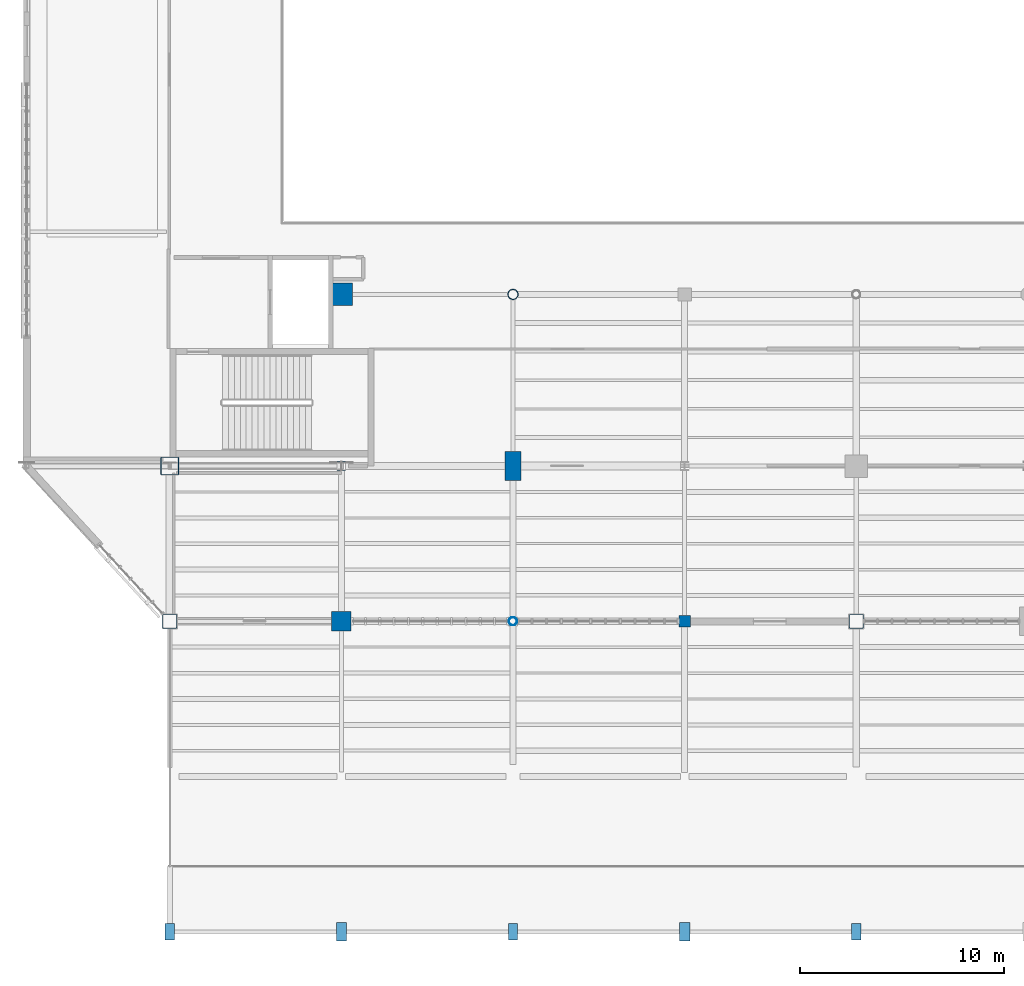
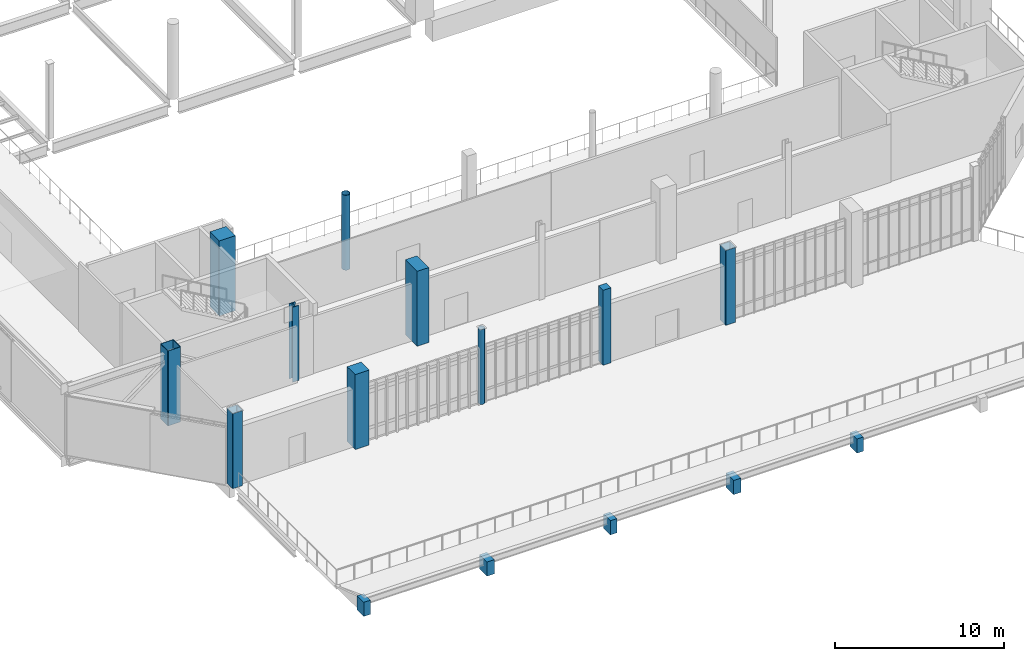
# One storey, part 1 of 127: 15 columns.
"""IFC4 building model written with IfcOpenShell, lengths in metres."""

import ifcopenshell
import ifcopenshell.guid

model = None  # the IFC model being written
_history = None  # IfcOwnerHistory: only IFC2X3 demands one
_inside = {}  # id of a spatial element -> (the spatial element, [elements in it])
_under = {}  # id of a project, library or spatial element -> (it, [spatial elements below it])
_declared = {}  # id of a project -> (the project, [libraries it declares])
_typed = {}  # id of a type object -> (the type object, [elements of that type])
_made_of = {}  # id of a material, layer set ... -> (it, [elements and type objects made of it])


def new_model(schema):
    """Start an empty IFC model of exactly this schema.

    Asked for "IFC4X3", IfcOpenShell would pick the latest addendum, in which some entities
    have other attributes; the version numbers below select the first issue.
    IFC2X3 requires an IfcOwnerHistory on every rooted entity: one is made here for all.
    """
    global model, _history
    if schema == "IFC4X3":
        model = ifcopenshell.file(schema_version=(4, 3, 0, 0))
    else:
        model = ifcopenshell.file(schema=schema)
    _inside.clear()
    _under.clear()
    _declared.clear()
    _typed.clear()
    _made_of.clear()
    _history = None
    if model.schema == "IFC2X3":
        org = make("IfcOrganization", Name="unknown")
        user = make(
            "IfcPersonAndOrganization",
            ThePerson=make("IfcPerson", FamilyName="unknown"),
            TheOrganization=org,
        )
        app = make(
            "IfcApplication",
            ApplicationDeveloper=org,
            Version="unknown",
            ApplicationFullName="unknown",
            ApplicationIdentifier="unknown",
        )
        _history = make(
            "IfcOwnerHistory",
            OwningUser=user,
            OwningApplication=app,
            ChangeAction="ADDED",
            CreationDate=0,
        )
    return model


def make(cls, **values):
    """One entity of the class cls with the attributes given. An attribute that is None is left unset."""
    return model.create_entity(
        cls, **{name: value for name, value in values.items() if value is not None}
    )


def rooted(cls, **values):
    """An entity with a GlobalId (a new one), such as an element, a storey or a relation."""
    return make(cls, GlobalId=ifcopenshell.guid.new(), OwnerHistory=_history, **values)


def si_unit(unit_type, name, prefix=None):
    """IfcSIUnit, for example si_unit("LENGTHUNIT", "METRE", prefix="MILLI")."""
    return make("IfcSIUnit", UnitType=unit_type, Prefix=prefix, Name=name)


def assignment(units):
    """IfcUnitAssignment: the units of a project."""
    return None if units is None else make("IfcUnitAssignment", Units=units)


def point(xyz):
    """IfcCartesianPoint."""
    return None if xyz is None else make("IfcCartesianPoint", Coordinates=xyz)


def direction(xyz):
    """IfcDirection."""
    return None if xyz is None else make("IfcDirection", DirectionRatios=xyz)


def frame(location, z_axis=None, x_axis=None):
    """IfcAxis2Placement3D, a coordinate frame: its origin and axes. An axis left out is left unset."""
    return make(
        "IfcAxis2Placement3D",
        Location=point(location),
        Axis=direction(z_axis),
        RefDirection=direction(x_axis),
    )


def frame_2d(location, x_axis=None):
    """IfcAxis2Placement2D, a coordinate frame in the plane: its origin and x axis."""
    return make(
        "IfcAxis2Placement2D", Location=point(location), RefDirection=direction(x_axis)
    )


def origin():
    """The frame at (0, 0, 0) with its axes left unset."""
    return frame((0.0, 0.0, 0.0))


def origin_2d():
    """The frame at (0, 0) in the plane with its x axis left unset."""
    return frame_2d((0.0, 0.0))


def place(relative_to, where):
    """IfcLocalPlacement: puts the frame where relative to a parent placement (None: the world)."""
    return make(
        "IfcLocalPlacement", PlacementRelTo=relative_to, RelativePlacement=where
    )


def context(
    kind, dimensions, precision=None, world=None, true_north=None, identifier=None
):
    """IfcGeometricRepresentationContext, for example the 3D "Model" context."""
    return make(
        "IfcGeometricRepresentationContext",
        ContextIdentifier=identifier,
        ContextType=kind,
        CoordinateSpaceDimension=dimensions,
        Precision=precision,
        WorldCoordinateSystem=world,
        TrueNorth=true_north,
    )


def subcontext(parent, identifier, kind, view, scale=None):
    """IfcGeometricRepresentationSubContext, for example "Body" below "Model"."""
    return make(
        "IfcGeometricRepresentationSubContext",
        ContextIdentifier=identifier,
        ContextType=kind,
        ParentContext=parent,
        TargetScale=scale,
        TargetView=view,
    )


def project(units=None, contexts=None):
    """IfcProject with its units and contexts."""
    return rooted(
        "IfcProject",
        Name="project",
        RepresentationContexts=contexts,
        UnitsInContext=assignment(units),
    )


def spatial(cls, under=None, at=None, **own):
    """A site, building, storey or space (cls), placed at a placement, below another one or the project."""
    s = rooted(cls, ObjectPlacement=at, **own)
    if under is not None:
        _under.setdefault(under.id(), (under, []))[1].append(s)
    return s


def profile(cls, at=None, kind="AREA", **sizes):
    """A parametric profile (cls). Its sizes go by their IFC names, for example OverallWidth=200.0."""
    return make(cls, ProfileType=kind, Position=at, **sizes)


def rectangle(**sizes):
    """IfcRectangleProfileDef."""
    return profile("IfcRectangleProfileDef", **sizes)


def hollow_rectangle(**sizes):
    """IfcRectangleHollowProfileDef."""
    return profile("IfcRectangleHollowProfileDef", **sizes)


def hollow_circle(**sizes):
    """IfcCircleHollowProfileDef."""
    return profile("IfcCircleHollowProfileDef", **sizes)


def i_section(**sizes):
    """IfcIShapeProfileDef."""
    return profile("IfcIShapeProfileDef", **sizes)


def extrude(swept, where, along, depth):
    """IfcExtrudedAreaSolid: the profile swept, set in the frame where, extruded along a direction by depth."""
    return make(
        "IfcExtrudedAreaSolid",
        SweptArea=swept,
        Position=where,
        ExtrudedDirection=direction(along),
        Depth=depth,
    )


def shape(context_of_items, identifier, shape_type, items):
    """IfcShapeRepresentation: the items that make up one representation, for example the "Body"."""
    return make(
        "IfcShapeRepresentation",
        ContextOfItems=context_of_items,
        RepresentationIdentifier=identifier,
        RepresentationType=shape_type,
        Items=items,
    )


def material(Name=None, Category=None):
    """IfcMaterial."""
    return make("IfcMaterial", Name=Name, Category=Category)


def material_profile(
    of_material, cross_section, Name=None, Category=None, Priority=None
):
    """IfcMaterialProfile: a cross section and its material."""
    return make(
        "IfcMaterialProfile",
        Name=Name,
        Material=of_material,
        Profile=cross_section,
        Priority=Priority,
        Category=Category,
    )


def profile_set(profiles, Name=None, composite=None):
    """IfcMaterialProfileSet."""
    return make(
        "IfcMaterialProfileSet",
        Name=Name,
        MaterialProfiles=profiles,
        CompositeProfile=composite,
    )


def made_of(thing, what):
    """Note that an element or type object is made of a material, layer set ...; save() writes the relation."""
    if what is not None:
        _made_of.setdefault(what.id(), (what, []))[1].append(thing)
    return thing


def type_object(cls, material=None, **own):
    """A type object (cls), such as IfcWallType, which elements share."""
    return made_of(rooted(cls, **own), material)


def element(
    cls,
    number,
    at=None,
    inside=None,
    cuts=None,
    type_object=None,
    material=None,
    context=None,
    identifier="Body",
    shape_type=None,
    held_by="IfcProductDefinitionShape",
    body=None,
    shapes=None,
    **own,
):
    """One element of the class cls, such as IfcWall. Its Tag is "e" and its number.

    at: its placement. inside: the storey or other place that contains it. cuts: it is an
    opening in that element (IfcRelVoidsElement). A single representation is given by context,
    identifier, shape_type and body (its items); several are given by shapes. held_by: the class
    of the entity that holds the representations. save() writes the other relations.
    """
    e = rooted(cls, Tag="e%d" % number, ObjectPlacement=at, **own)
    if body is not None:
        shapes = [shape(context, identifier, shape_type, body)]
    if shapes is not None:
        e.Representation = make(held_by, Representations=shapes)
    if inside is not None:
        _inside.setdefault(inside.id(), (inside, []))[1].append(e)
    if cuts is not None:
        rooted(
            "IfcRelVoidsElement", RelatingBuildingElement=cuts, RelatedOpeningElement=e
        )
    if type_object is not None:
        _typed.setdefault(type_object.id(), (type_object, []))[1].append(e)
    return made_of(e, material)


def aggregate(whole, parts):
    """IfcRelAggregates: a whole, such as a stair, and the parts it consists of."""
    return rooted("IfcRelAggregates", RelatingObject=whole, RelatedObjects=parts)


def save(model, path):
    """Write the relations noted so far, then the file.

    IfcRelAggregates (storeys below a building ...), IfcRelContainedInSpatialStructure (elements
    in a storey), IfcRelDefinesByType, IfcRelAssociatesMaterial and IfcRelDeclares: one each for
    every whole, place, type object, material and project.
    """
    for whole, parts in _under.values():
        aggregate(whole, parts)
    for where, things in _inside.values():
        rooted(
            "IfcRelContainedInSpatialStructure",
            RelatedElements=things,
            RelatingStructure=where,
        )
    for kind, things in _typed.values():
        rooted("IfcRelDefinesByType", RelatedObjects=things, RelatingType=kind)
    for what, things in _made_of.values():
        rooted("IfcRelAssociatesMaterial", RelatedObjects=things, RelatingMaterial=what)
    for by, libraries in _declared.values():
        rooted("IfcRelDeclares", RelatingContext=by, RelatedDefinitions=libraries)
    model.write(path)


model = new_model("IFC4")

# Units and contexts
model_context = context("Model", 3, precision=1e-05, world=origin(), true_north=direction((0.0, 1.0)))
body_context = subcontext(model_context, "Body", "Model", "MODEL_VIEW")
ifc_project = project(units=[si_unit("LENGTHUNIT", "METRE"), si_unit("AREAUNIT", "SQUARE_METRE"), si_unit("VOLUMEUNIT", "CUBIC_METRE"), si_unit("PLANEANGLEUNIT", "RADIAN"), si_unit("MASSUNIT", "GRAM", prefix="KILO")], contexts=[model_context])

# Site, building, storey
site_placement = place(None, origin())
site = spatial("IfcSite", under=ifc_project, at=site_placement, CompositionType="ELEMENT")
building_placement = place(site_placement, origin())
building = spatial("IfcBuilding", under=site, at=building_placement, Name="Larkvane Passage Sports Hall", CompositionType="ELEMENT")
storey_placement = place(building_placement, frame((0.0, 0.0, 5.39990234375)))
storey = spatial("IfcBuildingStorey", under=building, at=storey_placement, Name="L01", CompositionType="ELEMENT", Elevation=5.39990234375)

# Columns
ifc_material_1 = material(Name="Concrete C50/60", Category="concrete")
ifc_material_profile_1 = material_profile(ifc_material_1, rectangle(XDim=1.10009765625, YDim=1.10009765625, at=origin_2d()), Name="RC-COL-1100x1100")
ifc_profile_set_1 = profile_set([ifc_material_profile_1], Name="Concrete C50/60")
column_type_1 = type_object("IfcColumnType", Name="COL-RC-1100", PredefinedType="COLUMN", material=ifc_profile_set_1)
column_1_placement = place(storey_placement, frame((43.199951171875, 31.199951171875, 0.0), z_axis=(0.0, 0.0, 1.0), x_axis=(1.0, 0.0, 0.0)))
element("IfcColumn", 1, at=column_1_placement, inside=storey, type_object=column_type_1, Name="Column 7/E L01", PredefinedType="COLUMN", context=body_context, shape_type="SweptSolid", body=[
    extrude(rectangle(XDim=1.10009765625, YDim=1.10009765625, at=origin_2d()), origin(), (0.0, 0.0, 1.0), 5.400146484375),
])
ifc_material_2 = material(Name="Concrete C40/50", Category="concrete")
ifc_material_profile_2 = material_profile(ifc_material_2, rectangle(XDim=0.550048828125, YDim=0.550048828125, at=origin_2d()), Name="RC-COL-550x550")
ifc_profile_set_2 = profile_set([ifc_material_profile_2], Name="Concrete C40/50")
column_type_2 = type_object("IfcColumnType", Name="COL-RC-550", PredefinedType="COLUMN", material=ifc_profile_set_2)
column_2_placement = place(storey_placement, frame((60.0, 15.199951171875, 0.0), z_axis=(0.0, 0.0, 1.0), x_axis=(1.0, 0.0, 0.0)))
element("IfcColumn", 2, at=column_2_placement, inside=storey, type_object=column_type_2, Name="Column 9/C L01", PredefinedType="COLUMN", context=body_context, shape_type="SweptSolid", body=[
    extrude(rectangle(XDim=0.550048828125, YDim=0.550048828125, at=origin_2d()), origin(), (0.0, 0.0, 1.0), 5.400146484375),
])
ifc_material_profile_3 = material_profile(ifc_material_1, rectangle(XDim=0.800048828125, YDim=1.39990234375, at=origin_2d()), Name="RC-COL-800x1400")
ifc_profile_set_3 = profile_set([ifc_material_profile_3], Name="Concrete C50/60")
column_type_3 = type_object("IfcColumnType", Name="COL-RC-800x1400", PredefinedType="COLUMN", material=ifc_profile_set_3)
column_3_placement = place(storey_placement, frame((51.60009765625, 22.800048828125, 0.0), z_axis=(0.0, 0.0, 1.0), x_axis=(1.0, 0.0, 0.0)))
element("IfcColumn", 3, at=column_3_placement, inside=storey, type_object=column_type_3, Name="Column 8/D L01", PredefinedType="COLUMN", context=body_context, shape_type="SweptSolid", body=[
    extrude(rectangle(XDim=0.800048828125, YDim=1.39990234375, at=origin_2d()), origin(), (0.0, 0.0, 1.0), 5.400146484375),
])
ifc_material_profile_4 = material_profile(ifc_material_1, rectangle(XDim=0.949951171875, YDim=0.949951171875, at=origin_2d()), Name="RC-COL-950x950")
ifc_profile_set_4 = profile_set([ifc_material_profile_4], Name="Concrete C50/60")
column_type_4 = type_object("IfcColumnType", Name="COL-RC-950", PredefinedType="COLUMN", material=ifc_profile_set_4)
column_4_placement = place(storey_placement, frame((43.199951171875, 15.199951171875, 0.0), z_axis=(0.0, 0.0, 1.0), x_axis=(1.0, 0.0, 0.0)))
element("IfcColumn", 4, at=column_4_placement, inside=storey, type_object=column_type_4, Name="Column 7/C L01", PredefinedType="COLUMN", context=body_context, shape_type="SweptSolid", body=[
    extrude(rectangle(XDim=0.949951171875, YDim=0.949951171875, at=origin_2d()), origin(), (0.0, 0.0, 1.0), 5.400146484375),
])
ifc_material_3 = material(Name="Steel S460N", Category="steel")
ifc_material_profile_5 = material_profile(ifc_material_3, hollow_rectangle(XDim=0.699951171875, YDim=0.699951171875, WallThickness=0.028076171875, InnerFilletRadius=0.028076171875, OuterFilletRadius=0.055908203125, at=origin_2d()), Name="BOX-700x700x28")
ifc_profile_set_5 = profile_set([ifc_material_profile_5], Name="Steel S460N")
column_type_5 = type_object("IfcColumnType", Name="COL-STL-BOX700", PredefinedType="COLUMN", material=ifc_profile_set_5)
for number, where, z_axis, x_axis, name in (
    (5, (34.800048828125, 15.199951171875, 0.0), (0.0, 0.0, 1.0), (1.0, 0.0, 0.0), "Column 6/C L01"),
    (6, (68.39990234375, 15.199951171875, 0.0), (0.0, 0.0, 1.0), (1.0, 0.0, 0.0), "Column 10/C L01"),
):
    element("IfcColumn", number, at=place(storey_placement, frame(where, z_axis=z_axis, x_axis=x_axis)), inside=storey, type_object=column_type_5, Name=name, PredefinedType="COLUMN", context=body_context, shape_type="SweptSolid", body=[
        extrude(hollow_rectangle(XDim=0.699951171875, YDim=0.699951171875, WallThickness=0.028076171875, InnerFilletRadius=0.028076171875, OuterFilletRadius=0.055908203125, at=origin_2d()), origin(), (0.0, 0.0, 1.0), 5.400146484375),
    ])
ifc_material_profile_6 = material_profile(ifc_material_3, hollow_rectangle(XDim=0.89990234375, YDim=0.89990234375, WallThickness=0.035888671875, InnerFilletRadius=0.035888671875, OuterFilletRadius=0.072021484375, at=origin_2d()), Name="BOX-900x900x36")
ifc_profile_set_6 = profile_set([ifc_material_profile_6], Name="Steel S460N")
column_type_6 = type_object("IfcColumnType", Name="COL-STL-BOX900", PredefinedType="COLUMN", material=ifc_profile_set_6)
column_5_placement = place(storey_placement, frame((34.800048828125, 22.800048828125, 0.0), z_axis=(0.0, 0.0, 1.0), x_axis=(1.0, 0.0, 0.0)))
element("IfcColumn", 7, at=column_5_placement, inside=storey, type_object=column_type_6, Name="Column 6/D L01", PredefinedType="COLUMN", context=body_context, shape_type="SweptSolid", body=[
    extrude(hollow_rectangle(XDim=0.89990234375, YDim=0.89990234375, WallThickness=0.035888671875, InnerFilletRadius=0.035888671875, OuterFilletRadius=0.072021484375, at=origin_2d()), origin(), (0.0, 0.0, 1.0), 5.400146484375),
])
ifc_material_4 = material(Name="Steel S355JR", Category="steel")
ifc_material_profile_7 = material_profile(ifc_material_4, hollow_circle(Radius=0.203125, WallThickness=0.01611328125, at=origin_2d()), Name="CHS-406.4x16.0")
ifc_profile_set_7 = profile_set([ifc_material_profile_7], Name="Steel S355JR")
column_type_7 = type_object("IfcColumnType", Name="COL-STL-CHS406", PredefinedType="COLUMN", material=ifc_profile_set_7)
column_6_placement = place(storey_placement, frame((51.60009765625, 15.199951171875, 0.0), z_axis=(0.0, 0.0, 1.0), x_axis=(1.0, 0.0, 0.0)))
element("IfcColumn", 8, at=column_6_placement, inside=storey, type_object=column_type_7, Name="Column 8/C L01", PredefinedType="COLUMN", context=body_context, shape_type="SweptSolid", body=[
    extrude(hollow_circle(Radius=0.203125, WallThickness=0.01611328125, at=origin_2d()), origin(), (0.0, 0.0, 1.0), 5.400146484375),
])
ifc_material_profile_8 = material_profile(ifc_material_3, hollow_circle(Radius=0.25390625, WallThickness=0.01904296875, at=origin_2d()), Name="CHS-508.0x19.0")
ifc_profile_set_8 = profile_set([ifc_material_profile_8], Name="Steel S460N")
column_type_8 = type_object("IfcColumnType", Name="COL-STL-CHS508", PredefinedType="COLUMN", material=ifc_profile_set_8)
column_7_placement = place(storey_placement, frame((51.60009765625, 31.199951171875, 0.0), z_axis=(0.0, 0.0, 1.0), x_axis=(1.0, 0.0, 0.0)))
element("IfcColumn", 9, at=column_7_placement, inside=storey, type_object=column_type_8, Name="Column 8/E L01", PredefinedType="COLUMN", context=body_context, shape_type="SweptSolid", body=[
    extrude(hollow_circle(Radius=0.25390625, WallThickness=0.01904296875, at=origin_2d()), origin(), (0.0, 0.0, 1.0), 5.400146484375),
])
ifc_material_profile_9 = material_profile(ifc_material_3, i_section(OverallWidth=0.4169921875, OverallDepth=0.4580078125, WebThickness=0.030029296875, FlangeThickness=0.0400390625, FilletRadius=0.02197265625, at=origin_2d()), Name="H-458x417x30x40")
ifc_profile_set_9 = profile_set([ifc_material_profile_9], Name="Steel S460N")
column_type_9 = type_object("IfcColumnType", Name="COL-STL-H458", PredefinedType="COLUMN", material=ifc_profile_set_9)
column_8_placement = place(storey_placement, frame((43.199951171875, 22.800048828125, 0.0), z_axis=(0.0, 0.0, 1.0), x_axis=(1.0, 0.0, 0.0)))
element("IfcColumn", 10, at=column_8_placement, inside=storey, type_object=column_type_9, Name="Column 7/D L01", PredefinedType="COLUMN", context=body_context, shape_type="SweptSolid", body=[
    extrude(i_section(OverallWidth=0.4169921875, OverallDepth=0.4580078125, WebThickness=0.030029296875, FlangeThickness=0.0400390625, FilletRadius=0.02197265625, at=origin_2d()), origin(), (0.0, 0.0, 1.0), 5.400146484375),
])
ifc_material_profile_10 = material_profile(ifc_material_2, rectangle(XDim=0.449951171875, YDim=0.800048828125, at=origin_2d()), Name="RC-PIL-450x800")
ifc_profile_set_10 = profile_set([ifc_material_profile_10], Name="Concrete C40/50")
column_type_10 = type_object("IfcColumnType", Name="PIL-RC-450x800", PredefinedType="PILASTER", material=ifc_profile_set_10)
for number, where, z_axis, x_axis, name in (
    (11, (34.800048828125, 0.0, 0.0), (0.0, 0.0, 1.0), (1.0, 0.0, 0.0), "Arcade pilaster 6/A L01"),
    (12, (51.60009765625, 0.0, 0.0), (0.0, 0.0, 1.0), (1.0, 0.0, 0.0), "Arcade pilaster 8/A L01"),
    (13, (68.39990234375, 0.0, 0.0), (0.0, 0.0, 1.0), (1.0, 0.0, 0.0), "Arcade pilaster 10/A L01"),
):
    element("IfcColumn", number, at=place(storey_placement, frame(where, z_axis=z_axis, x_axis=x_axis)), inside=storey, type_object=column_type_10, Name=name, PredefinedType="PILASTER", context=body_context, shape_type="SweptSolid", body=[
        extrude(rectangle(XDim=0.449951171875, YDim=0.800048828125, at=origin_2d()), origin(), (0.0, 0.0, 1.0), 1.02001953125),
    ])
ifc_material_profile_11 = material_profile(ifc_material_2, rectangle(XDim=0.5, YDim=0.89990234375, at=origin_2d()), Name="RC-PIL-500x900")
ifc_profile_set_11 = profile_set([ifc_material_profile_11], Name="Concrete C40/50")
column_type_11 = type_object("IfcColumnType", Name="PIL-RC-500x900", PredefinedType="PILASTER", material=ifc_profile_set_11)
for number, where, z_axis, x_axis, name in (
    (14, (43.199951171875, 0.0, 0.0), (0.0, 0.0, 1.0), (1.0, 0.0, 0.0), "Arcade pilaster 7/A L01"),
    (15, (60.0, 0.0, 0.0), (0.0, 0.0, 1.0), (1.0, 0.0, 0.0), "Arcade pilaster 9/A L01"),
):
    element("IfcColumn", number, at=place(storey_placement, frame(where, z_axis=z_axis, x_axis=x_axis)), inside=storey, type_object=column_type_11, Name=name, PredefinedType="PILASTER", context=body_context, shape_type="SweptSolid", body=[
        extrude(rectangle(XDim=0.5, YDim=0.89990234375, at=origin_2d()), origin(), (0.0, 0.0, 1.0), 1.02001953125),
    ])

save(model, "model.ifc")
